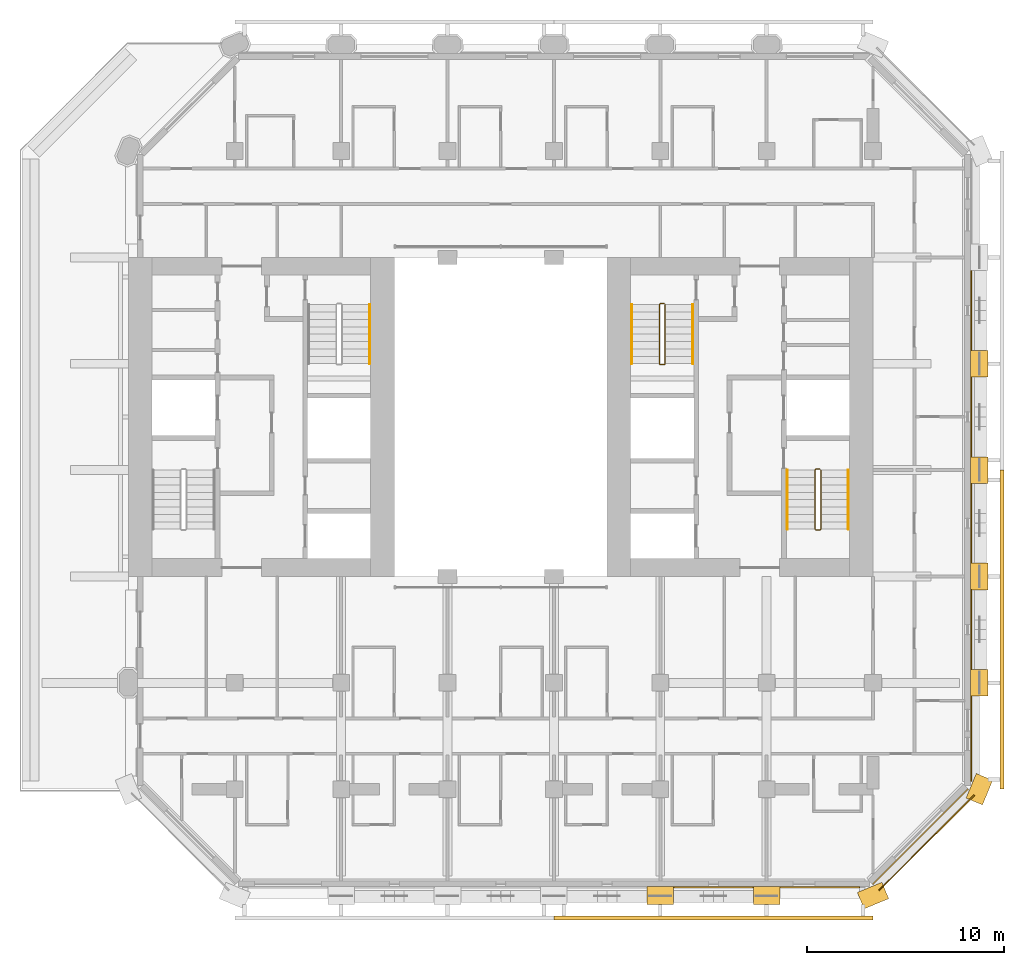
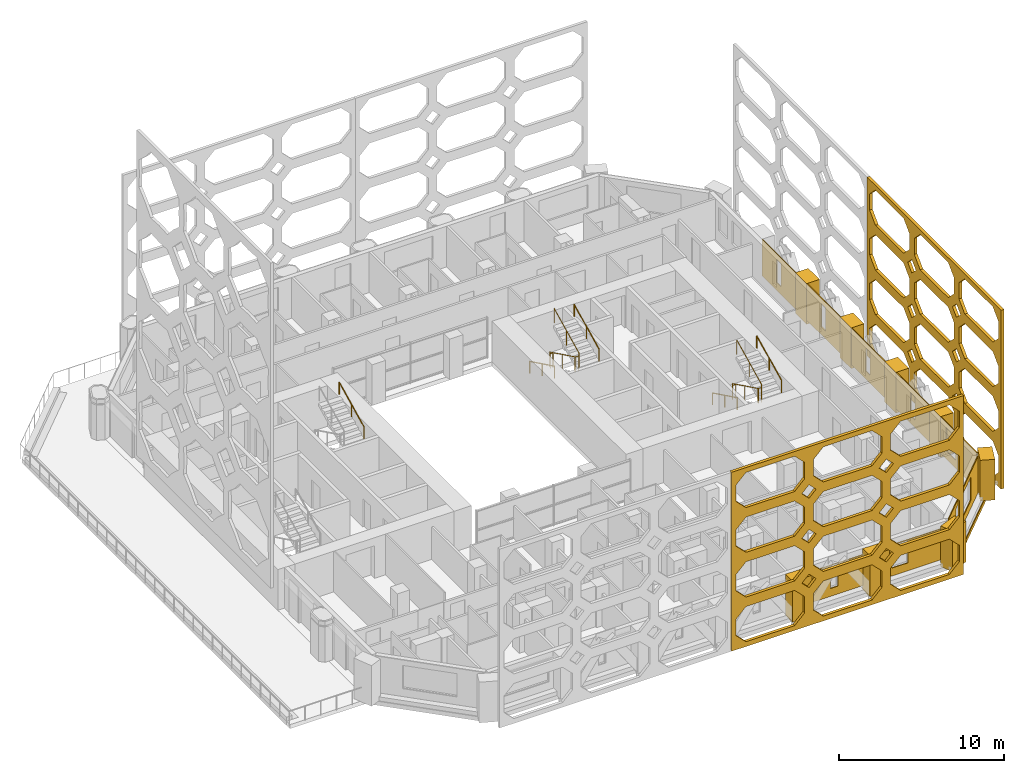
# One storey, part 14 of 16: 19 coverings, 7 railings.
"""IFC4 building model written with IfcOpenShell, lengths in metres."""

import ifcopenshell
import ifcopenshell.guid

model = None  # the IFC model being written
_history = None  # IfcOwnerHistory: only IFC2X3 demands one
_inside = {}  # id of a spatial element -> (the spatial element, [elements in it])
_under = {}  # id of a project, library or spatial element -> (it, [spatial elements below it])
_declared = {}  # id of a project -> (the project, [libraries it declares])
_typed = {}  # id of a type object -> (the type object, [elements of that type])
_made_of = {}  # id of a material, layer set ... -> (it, [elements and type objects made of it])


def new_model(schema):
    """Start an empty IFC model of exactly this schema.

    Asked for "IFC4X3", IfcOpenShell would pick the latest addendum, in which some entities
    have other attributes; the version numbers below select the first issue.
    IFC2X3 requires an IfcOwnerHistory on every rooted entity: one is made here for all.
    """
    global model, _history
    if schema == "IFC4X3":
        model = ifcopenshell.file(schema_version=(4, 3, 0, 0))
    else:
        model = ifcopenshell.file(schema=schema)
    _inside.clear()
    _under.clear()
    _declared.clear()
    _typed.clear()
    _made_of.clear()
    _history = None
    if model.schema == "IFC2X3":
        org = make("IfcOrganization", Name="unknown")
        user = make(
            "IfcPersonAndOrganization",
            ThePerson=make("IfcPerson", FamilyName="unknown"),
            TheOrganization=org,
        )
        app = make(
            "IfcApplication",
            ApplicationDeveloper=org,
            Version="unknown",
            ApplicationFullName="unknown",
            ApplicationIdentifier="unknown",
        )
        _history = make(
            "IfcOwnerHistory",
            OwningUser=user,
            OwningApplication=app,
            ChangeAction="ADDED",
            CreationDate=0,
        )
    return model


def make(cls, **values):
    """One entity of the class cls with the attributes given. An attribute that is None is left unset."""
    return model.create_entity(
        cls, **{name: value for name, value in values.items() if value is not None}
    )


def rooted(cls, **values):
    """An entity with a GlobalId (a new one), such as an element, a storey or a relation."""
    return make(cls, GlobalId=ifcopenshell.guid.new(), OwnerHistory=_history, **values)


def si_unit(unit_type, name, prefix=None):
    """IfcSIUnit, for example si_unit("LENGTHUNIT", "METRE", prefix="MILLI")."""
    return make("IfcSIUnit", UnitType=unit_type, Prefix=prefix, Name=name)


def assignment(units):
    """IfcUnitAssignment: the units of a project."""
    return None if units is None else make("IfcUnitAssignment", Units=units)


def point(xyz):
    """IfcCartesianPoint."""
    return None if xyz is None else make("IfcCartesianPoint", Coordinates=xyz)


def direction(xyz):
    """IfcDirection."""
    return None if xyz is None else make("IfcDirection", DirectionRatios=xyz)


def frame(location, z_axis=None, x_axis=None):
    """IfcAxis2Placement3D, a coordinate frame: its origin and axes. An axis left out is left unset."""
    return make(
        "IfcAxis2Placement3D",
        Location=point(location),
        Axis=direction(z_axis),
        RefDirection=direction(x_axis),
    )


def frame_2d(location, x_axis=None):
    """IfcAxis2Placement2D, a coordinate frame in the plane: its origin and x axis."""
    return make(
        "IfcAxis2Placement2D", Location=point(location), RefDirection=direction(x_axis)
    )


def origin():
    """The frame at (0, 0, 0) with its axes left unset."""
    return frame((0.0, 0.0, 0.0))


def origin_2d():
    """The frame at (0, 0) in the plane with its x axis left unset."""
    return frame_2d((0.0, 0.0))


def place(relative_to, where):
    """IfcLocalPlacement: puts the frame where relative to a parent placement (None: the world)."""
    return make(
        "IfcLocalPlacement", PlacementRelTo=relative_to, RelativePlacement=where
    )


def context(
    kind, dimensions, precision=None, world=None, true_north=None, identifier=None
):
    """IfcGeometricRepresentationContext, for example the 3D "Model" context."""
    return make(
        "IfcGeometricRepresentationContext",
        ContextIdentifier=identifier,
        ContextType=kind,
        CoordinateSpaceDimension=dimensions,
        Precision=precision,
        WorldCoordinateSystem=world,
        TrueNorth=true_north,
    )


def subcontext(parent, identifier, kind, view, scale=None):
    """IfcGeometricRepresentationSubContext, for example "Body" below "Model"."""
    return make(
        "IfcGeometricRepresentationSubContext",
        ContextIdentifier=identifier,
        ContextType=kind,
        ParentContext=parent,
        TargetScale=scale,
        TargetView=view,
    )


def project(units=None, contexts=None):
    """IfcProject with its units and contexts."""
    return rooted(
        "IfcProject",
        Name="project",
        RepresentationContexts=contexts,
        UnitsInContext=assignment(units),
    )


def spatial(cls, under=None, at=None, **own):
    """A site, building, storey or space (cls), placed at a placement, below another one or the project."""
    s = rooted(cls, ObjectPlacement=at, **own)
    if under is not None:
        _under.setdefault(under.id(), (under, []))[1].append(s)
    return s


def polyline(points):
    """IfcPolyline through the points."""
    return make("IfcPolyline", Points=[point(p) for p in points])


def profile(cls, at=None, kind="AREA", **sizes):
    """A parametric profile (cls). Its sizes go by their IFC names, for example OverallWidth=200.0."""
    return make(cls, ProfileType=kind, Position=at, **sizes)


def rectangle(**sizes):
    """IfcRectangleProfileDef."""
    return profile("IfcRectangleProfileDef", **sizes)


def circle(**sizes):
    """IfcCircleProfileDef."""
    return profile("IfcCircleProfileDef", **sizes)


def outline(outer, holes=None, kind="AREA"):
    """IfcArbitraryClosedProfileDef: a profile drawn as a closed curve; with holes, ...WithVoids."""
    if holes is None:
        return make("IfcArbitraryClosedProfileDef", ProfileType=kind, OuterCurve=outer)
    return make(
        "IfcArbitraryProfileDefWithVoids",
        ProfileType=kind,
        OuterCurve=outer,
        InnerCurves=holes,
    )


def extrude(swept, where, along, depth):
    """IfcExtrudedAreaSolid: the profile swept, set in the frame where, extruded along a direction by depth."""
    return make(
        "IfcExtrudedAreaSolid",
        SweptArea=swept,
        Position=where,
        ExtrudedDirection=direction(along),
        Depth=depth,
    )


def shape(context_of_items, identifier, shape_type, items):
    """IfcShapeRepresentation: the items that make up one representation, for example the "Body"."""
    return make(
        "IfcShapeRepresentation",
        ContextOfItems=context_of_items,
        RepresentationIdentifier=identifier,
        RepresentationType=shape_type,
        Items=items,
    )


def material(Name=None, Category=None):
    """IfcMaterial."""
    return make("IfcMaterial", Name=Name, Category=Category)


def layer(
    of_material, thickness, ventilated=None, Name=None, Category=None, Priority=None
):
    """IfcMaterialLayer: one layer of a wall or slab, of a material (None: an air gap)."""
    return make(
        "IfcMaterialLayer",
        Material=of_material,
        LayerThickness=thickness,
        IsVentilated=ventilated,
        Name=Name,
        Category=Category,
        Priority=Priority,
    )


def layer_set(layers, Name=None):
    """IfcMaterialLayerSet."""
    return make("IfcMaterialLayerSet", MaterialLayers=layers, LayerSetName=Name)


def made_of(thing, what):
    """Note that an element or type object is made of a material, layer set ...; save() writes the relation."""
    if what is not None:
        _made_of.setdefault(what.id(), (what, []))[1].append(thing)
    return thing


def type_object(cls, material=None, **own):
    """A type object (cls), such as IfcWallType, which elements share."""
    return made_of(rooted(cls, **own), material)


def element(
    cls,
    number,
    at=None,
    inside=None,
    cuts=None,
    type_object=None,
    material=None,
    context=None,
    identifier="Body",
    shape_type=None,
    held_by="IfcProductDefinitionShape",
    body=None,
    shapes=None,
    **own,
):
    """One element of the class cls, such as IfcWall. Its Tag is "e" and its number.

    at: its placement. inside: the storey or other place that contains it. cuts: it is an
    opening in that element (IfcRelVoidsElement). A single representation is given by context,
    identifier, shape_type and body (its items); several are given by shapes. held_by: the class
    of the entity that holds the representations. save() writes the other relations.
    """
    e = rooted(cls, Tag="e%d" % number, ObjectPlacement=at, **own)
    if body is not None:
        shapes = [shape(context, identifier, shape_type, body)]
    if shapes is not None:
        e.Representation = make(held_by, Representations=shapes)
    if inside is not None:
        _inside.setdefault(inside.id(), (inside, []))[1].append(e)
    if cuts is not None:
        rooted(
            "IfcRelVoidsElement", RelatingBuildingElement=cuts, RelatedOpeningElement=e
        )
    if type_object is not None:
        _typed.setdefault(type_object.id(), (type_object, []))[1].append(e)
    return made_of(e, material)


def aggregate(whole, parts):
    """IfcRelAggregates: a whole, such as a stair, and the parts it consists of."""
    return rooted("IfcRelAggregates", RelatingObject=whole, RelatedObjects=parts)


def save(model, path):
    """Write the relations noted so far, then the file.

    IfcRelAggregates (storeys below a building ...), IfcRelContainedInSpatialStructure (elements
    in a storey), IfcRelDefinesByType, IfcRelAssociatesMaterial and IfcRelDeclares: one each for
    every whole, place, type object, material and project.
    """
    for whole, parts in _under.values():
        aggregate(whole, parts)
    for where, things in _inside.values():
        rooted(
            "IfcRelContainedInSpatialStructure",
            RelatedElements=things,
            RelatingStructure=where,
        )
    for kind, things in _typed.values():
        rooted("IfcRelDefinesByType", RelatedObjects=things, RelatingType=kind)
    for what, things in _made_of.values():
        rooted("IfcRelAssociatesMaterial", RelatedObjects=things, RelatingMaterial=what)
    for by, libraries in _declared.values():
        rooted("IfcRelDeclares", RelatingContext=by, RelatedDefinitions=libraries)
    model.write(path)


model = new_model("IFC4")

# Units and contexts
model_context = context("Model", 3, precision=1e-05, world=origin(), true_north=direction((0.0, 1.0)))
body_context = subcontext(model_context, "Body", "Model", "MODEL_VIEW")
ifc_project = project(units=[si_unit("LENGTHUNIT", "METRE"), si_unit("AREAUNIT", "SQUARE_METRE"), si_unit("VOLUMEUNIT", "CUBIC_METRE"), si_unit("PLANEANGLEUNIT", "RADIAN"), si_unit("MASSUNIT", "GRAM", prefix="KILO")], contexts=[model_context])

# Site, building, storey
site_placement = place(None, origin())
site = spatial("IfcSite", under=ifc_project, at=site_placement, CompositionType="ELEMENT")
building_placement = place(site_placement, origin())
building = spatial("IfcBuilding", under=site, at=building_placement, Name="Tabaq Tower and Sports Hall", CompositionType="ELEMENT")
storey_placement = place(building_placement, frame((0.0, 0.0, 152.800048828125)))
storey = spatial("IfcBuildingStorey", under=building, at=storey_placement, Name="L35", CompositionType="ELEMENT", Elevation=152.800048828125)

# Coverings
ifc_material_1 = material(Name="Precast concrete C60/75", Category="concrete")
ifc_layer_1 = layer(ifc_material_1, 0.06005859375)
ifc_layer_set_1 = layer_set([ifc_layer_1], Name="Edge beam cladding 60")
covering_type_1 = type_object("IfcCoveringType", Name="Edge beam cladding 60", PredefinedType="CLADDING", material=ifc_layer_set_1)
covering_1_placement = place(storey_placement, frame((43.505615234375, 0.26318359375, -0.300048828125), z_axis=(0.0, 0.0, 1.0), x_axis=(0.707106781187, 0.707106781187, 0.0)))
element("IfcCovering", 1, at=covering_1_placement, inside=storey, type_object=covering_type_1, Name="Edge beam cladding L35 3", PredefinedType="CLADDING", context=body_context, shape_type="SweptSolid", body=[
    extrude(rectangle(XDim=6.83251953125, YDim=0.06005859375, at=frame_2d((3.416259765625, 0.0))), origin(), (0.0, 0.0, 1.0), 0.300048828125),
])
ifc_material_2 = material(Name="White precast concrete C60/75", Category="concrete")
covering_type_2 = type_object("IfcCoveringType", Name="Pier cladding hung 1350x900", PredefinedType="CLADDING", material=ifc_material_2)
covering_2_placement = place(storey_placement, frame((31.72509765625, 0.0, 0.0), z_axis=(0.0, 0.0, 1.0), x_axis=(1.0, 0.0, 0.0)))
element("IfcCovering", 2, at=covering_2_placement, inside=storey, type_object=covering_type_2, Name="Hung pier cladding 6/0", PredefinedType="CLADDING", context=body_context, shape_type="SweptSolid", body=[
    extrude(rectangle(XDim=1.349853515625, YDim=0.89990234375, at=frame_2d((0.6748046875, 0.0))), origin(), (0.0, 0.0, 1.0), 3.0),
])
for number, where, z_axis, x_axis, name in (
    (3, (37.125, 0.0, 0.0), (0.0, 0.0, 1.0), (1.0, 0.0, 0.0), "Hung pier cladding 7/0"),
    (4, (42.576416015625, -0.25830078125, 0.0), (0.0, 0.0, 1.0), (0.923893411637, 0.382649923473, 0.0), "Hung pier cladding 8/0"),
    (5, (48.341796875, 4.7763671875, 0.0), (0.0, 0.0, 1.0), (0.382649923473, 0.923893411637, 0.0), "Hung pier cladding 9/1"),
    (6, (48.60009765625, 10.125, 0.0), (0.0, 0.0, 1.0), (0.0, 1.0, 0.0), "Hung pier cladding 9/2"),
    (7, (48.60009765625, 15.52490234375, 0.0), (0.0, 0.0, 1.0), (0.0, 1.0, 0.0), "Hung pier cladding 9/3"),
):
    element("IfcCovering", number, at=place(storey_placement, frame(where, z_axis=z_axis, x_axis=x_axis)), inside=storey, type_object=covering_type_2, Name=name, PredefinedType="CLADDING", context=body_context, shape_type="SweptSolid", body=[
        extrude(rectangle(XDim=1.35009765625, YDim=0.89990234375, at=frame_2d((0.675048828125, 0.0))), origin(), (0.0, 0.0, 1.0), 3.0),
    ])
covering_3_placement = place(storey_placement, frame((48.60009765625, 20.925048828125, 0.0), z_axis=(0.0, 0.0, 1.0), x_axis=(0.0, 1.0, 0.0)))
element("IfcCovering", 8, at=covering_3_placement, inside=storey, type_object=covering_type_2, Name="Hung pier cladding 9/4", PredefinedType="CLADDING", context=body_context, shape_type="SweptSolid", body=[
    extrude(rectangle(XDim=1.349853515625, YDim=0.89990234375, at=frame_2d((0.6748046875, 0.0))), origin(), (0.0, 0.0, 1.0), 3.0),
])
covering_4_placement = place(storey_placement, frame((48.60009765625, 26.324951171875, 0.0), z_axis=(0.0, 0.0, 1.0), x_axis=(0.0, 1.0, 0.0)))
element("IfcCovering", 9, at=covering_4_placement, inside=storey, type_object=covering_type_2, Name="Hung pier cladding 9/5", PredefinedType="CLADDING", context=body_context, shape_type="SweptSolid", body=[
    extrude(rectangle(XDim=1.35009765625, YDim=0.89990234375, at=frame_2d((0.675048828125, 0.0))), origin(), (0.0, 0.0, 1.0), 3.0),
])

# Railings
ifc_material_3 = material(Name="Stainless steel", Category="steel")
railing_type_1 = type_object("IfcRailingType", Name="Stair guard", PredefinedType="GUARDRAIL", material=ifc_material_3)
railing_1_placement = place(storey_placement, frame((40.5, 21.64990234375, 0.0)))
element("IfcRailing", 10, at=railing_1_placement, inside=storey, type_object=railing_type_1, Name="L35 ST3 stair guard 1", PredefinedType="GUARDRAIL", context=body_context, shape_type="SweptSolid", body=[
    extrude(circle(Radius=0.02392578125, at=origin_2d()), frame((0.0, 0.0, 1.076171875), z_axis=(-1.0, 0.0, 0.0), x_axis=(0.0, -1.0, 0.0)), (0.0, 0.0, 1.0), 0.199951171875),
    extrude(circle(Radius=0.02392578125, at=origin_2d()), frame((-0.199951171875, 0.0, 1.076171875), z_axis=(-0.254733673405, -0.25349107012, 0.933195066962), x_axis=(0.705375805398, -0.708833529934, 0.0)), (0.0, 0.0, 1.0), 0.196533203125),
    extrude(circle(Radius=0.02392578125, at=origin_2d()), frame((-0.25, -0.0498046875, 1.25927734375), z_axis=(0.0, -0.898397823093, 0.439182594671), x_axis=(1.0, 0.0, 0.0)), (0.0, 0.0, 1.0), 3.33935546875),
    extrude(circle(Radius=0.02392578125, at=origin_2d()), frame((-0.25, -3.0498046875, 2.72607421875), z_axis=(0.707106781187, -0.707106781187, 0.0), x_axis=(0.707106781187, 0.707106781187, 0.0)), (0.0, 0.0, 1.0), 0.07080078125),
    extrude(circle(Radius=0.02392578125, at=origin_2d()), frame((-0.199951171875, -3.099853515625, 2.72607421875), z_axis=(1.0, 0.0, 0.0), x_axis=(0.0, 1.0, 0.0)), (0.0, 0.0, 1.0), 0.199951171875),
    extrude(circle(Radius=0.02392578125, at=origin_2d()), frame((0.0, -3.099853515625, 2.72607421875), z_axis=(0.254653276557, 0.254653276557, 0.932900539971), x_axis=(-0.707106781187, 0.707106781187, 0.0)), (0.0, 0.0, 1.0), 0.196533203125),
    extrude(circle(Radius=0.02392578125, at=origin_2d()), frame((0.050048828125, -3.0498046875, 2.9091796875), z_axis=(0.0, 0.898368975038, 0.439241601728), x_axis=(-1.0, 0.0, 0.0)), (0.0, 0.0, 1.0), 3.33935546875),
    extrude(circle(Radius=0.02099609375, at=origin_2d()), origin(), (0.0, 0.0, 1.0), 1.052001953125),
    extrude(circle(Radius=0.02099609375, at=origin_2d()), frame((-0.199951171875, 0.0, 0.0)), (0.0, 0.0, 1.0), 1.052001953125),
    extrude(circle(Radius=0.02099609375, at=origin_2d()), frame((-0.25, -0.0498046875, 0.183349609375)), (0.0, 0.0, 1.0), 1.052001953125),
    extrude(circle(Radius=0.02099609375, at=origin_2d()), frame((-0.25, -1.5498046875, 0.91650390625)), (0.0, 0.0, 1.0), 1.052001953125),
    extrude(circle(Radius=0.02099609375, at=origin_2d()), frame((-0.25, -3.0498046875, 1.64990234375)), (0.0, 0.0, 1.0), 1.052001953125),
    extrude(circle(Radius=0.02099609375, at=origin_2d()), frame((-0.199951171875, -3.099853515625, 1.64990234375)), (0.0, 0.0, 1.0), 1.052001953125),
    extrude(circle(Radius=0.02099609375, at=origin_2d()), frame((0.0, -3.099853515625, 1.64990234375)), (0.0, 0.0, 1.0), 1.052001953125),
    extrude(circle(Radius=0.02099609375, at=origin_2d()), frame((0.050048828125, -3.0498046875, 1.833251953125)), (0.0, 0.0, 1.0), 1.052001953125),
    extrude(circle(Radius=0.02099609375, at=origin_2d()), frame((0.050048828125, -1.5498046875, 2.566650390625)), (0.0, 0.0, 1.0), 1.052001953125),
    extrude(circle(Radius=0.02099609375, at=origin_2d()), frame((0.050048828125, -0.0498046875, 3.300048828125)), (0.0, 0.0, 1.0), 1.052001953125),
])
railing_2_placement = place(storey_placement, frame((32.60009765625, 30.050048828125, 0.0)))
element("IfcRailing", 11, at=railing_2_placement, inside=storey, type_object=railing_type_1, Name="L35 ST4 stair guard 1", PredefinedType="GUARDRAIL", context=body_context, shape_type="SweptSolid", body=[
    extrude(circle(Radius=0.02392578125, at=origin_2d()), frame((0.0, 0.0, 1.076171875), z_axis=(-1.0, 0.0, 0.0), x_axis=(0.0, -1.0, 0.0)), (0.0, 0.0, 1.0), 0.2001953125),
    extrude(circle(Radius=0.02392578125, at=origin_2d()), frame((-0.2001953125, 0.0, 1.076171875), z_axis=(-0.25349107012, -0.254733673405, 0.933195066962), x_axis=(0.708833529934, -0.705375805398, 0.0)), (0.0, 0.0, 1.0), 0.196533203125),
    extrude(circle(Radius=0.02392578125, at=origin_2d()), frame((-0.25, -0.050048828125, 1.25927734375), z_axis=(0.0, -0.898397823093, 0.439182594671), x_axis=(1.0, 0.0, 0.0)), (0.0, 0.0, 1.0), 3.33935546875),
    extrude(circle(Radius=0.02392578125, at=origin_2d()), frame((-0.25, -3.050048828125, 2.72607421875), z_axis=(0.705375805398, -0.708833529934, 0.0), x_axis=(0.708833529934, 0.705375805398, 0.0)), (0.0, 0.0, 1.0), 0.070556640625),
    extrude(circle(Radius=0.02392578125, at=origin_2d()), frame((-0.2001953125, -3.10009765625, 2.72607421875), z_axis=(1.0, 0.0, 0.0), x_axis=(0.0, 1.0, 0.0)), (0.0, 0.0, 1.0), 0.2001953125),
    extrude(circle(Radius=0.02392578125, at=origin_2d()), frame((0.0, -3.10009765625, 2.72607421875), z_axis=(0.25349107012, 0.254733673405, 0.933195066962), x_axis=(-0.708833529934, 0.705375805398, 0.0)), (0.0, 0.0, 1.0), 0.196533203125),
    extrude(circle(Radius=0.02392578125, at=origin_2d()), frame((0.0498046875, -3.050048828125, 2.9091796875), z_axis=(0.0, 0.898368975038, 0.439241601728), x_axis=(-1.0, 0.0, 0.0)), (0.0, 0.0, 1.0), 3.33935546875),
    extrude(circle(Radius=0.02099609375, at=origin_2d()), origin(), (0.0, 0.0, 1.0), 1.052001953125),
    extrude(circle(Radius=0.02099609375, at=origin_2d()), frame((-0.2001953125, 0.0, 0.0)), (0.0, 0.0, 1.0), 1.052001953125),
    extrude(circle(Radius=0.02099609375, at=origin_2d()), frame((-0.25, -0.050048828125, 0.183349609375)), (0.0, 0.0, 1.0), 1.052001953125),
    extrude(circle(Radius=0.02099609375, at=origin_2d()), frame((-0.25, -1.550048828125, 0.91650390625)), (0.0, 0.0, 1.0), 1.052001953125),
    extrude(circle(Radius=0.02099609375, at=origin_2d()), frame((-0.25, -3.050048828125, 1.64990234375)), (0.0, 0.0, 1.0), 1.052001953125),
    extrude(circle(Radius=0.02099609375, at=origin_2d()), frame((-0.2001953125, -3.10009765625, 1.64990234375)), (0.0, 0.0, 1.0), 1.052001953125),
    extrude(circle(Radius=0.02099609375, at=origin_2d()), frame((0.0, -3.10009765625, 1.64990234375)), (0.0, 0.0, 1.0), 1.052001953125),
    extrude(circle(Radius=0.02099609375, at=origin_2d()), frame((0.0498046875, -3.050048828125, 1.833251953125)), (0.0, 0.0, 1.0), 1.052001953125),
    extrude(circle(Radius=0.02099609375, at=origin_2d()), frame((0.0498046875, -1.550048828125, 2.566650390625)), (0.0, 0.0, 1.0), 1.052001953125),
    extrude(circle(Radius=0.02099609375, at=origin_2d()), frame((0.0498046875, -0.050048828125, 3.300048828125)), (0.0, 0.0, 1.0), 1.052001953125),
])
ifc_material_4 = material(Name="Stainless steel", Category="steel")
railing_type_2 = type_object("IfcRailingType", Name="Stair handrail", PredefinedType="HANDRAIL", material=ifc_material_4)
railing_3_placement = place(storey_placement, frame((17.64990234375, 27.0, 1.833251953125)))
element("IfcRailing", 12, at=railing_3_placement, inside=storey, type_object=railing_type_2, Name="L35 ST2 stair handrail 2", PredefinedType="HANDRAIL", context=body_context, shape_type="SweptSolid", body=[
    extrude(circle(Radius=0.02392578125, at=origin_2d()), frame((0.0, 0.0, 0.8759765625), z_axis=(0.0, 0.898368975038, 0.439241601728), x_axis=(-1.0, 0.0, 0.0)), (0.0, 0.0, 1.0), 3.33935546875),
    extrude(circle(Radius=0.02099609375, at=origin_2d()), origin(), (0.0, 0.0, 1.0), 0.851806640625),
    extrude(circle(Radius=0.02099609375, at=origin_2d()), frame((0.0, 1.5, 0.7333984375)), (0.0, 0.0, 1.0), 0.851806640625),
    extrude(circle(Radius=0.02099609375, at=origin_2d()), frame((0.0, 3.0, 1.466796875)), (0.0, 0.0, 1.0), 0.851806640625),
])
railing_4_placement = place(storey_placement, frame((38.85009765625, 21.60009765625, 0.183349609375)))
element("IfcRailing", 13, at=railing_4_placement, inside=storey, type_object=railing_type_2, Name="L35 ST3 stair handrail 1", PredefinedType="HANDRAIL", context=body_context, shape_type="SweptSolid", body=[
    extrude(circle(Radius=0.02392578125, at=origin_2d()), frame((0.0, 0.0, 0.8759765625), z_axis=(0.0, -0.898397823093, 0.439182594671), x_axis=(1.0, 0.0, 0.0)), (0.0, 0.0, 1.0), 3.33935546875),
    extrude(circle(Radius=0.02099609375, at=origin_2d()), origin(), (0.0, 0.0, 1.0), 0.851806640625),
    extrude(circle(Radius=0.02099609375, at=origin_2d()), frame((0.0, -1.5, 0.7333984375)), (0.0, 0.0, 1.0), 0.851806640625),
    extrude(circle(Radius=0.02099609375, at=origin_2d()), frame((0.0, -3.0, 1.466552734375)), (0.0, 0.0, 1.0), 0.851806640625),
])
railing_5_placement = place(storey_placement, frame((41.949951171875, 18.60009765625, 1.833251953125)))
element("IfcRailing", 14, at=railing_5_placement, inside=storey, type_object=railing_type_2, Name="L35 ST3 stair handrail 2", PredefinedType="HANDRAIL", context=body_context, shape_type="SweptSolid", body=[
    extrude(circle(Radius=0.02392578125, at=origin_2d()), frame((0.0, 0.0, 0.8759765625), z_axis=(0.0, 0.898368975038, 0.439241601728), x_axis=(-1.0, 0.0, 0.0)), (0.0, 0.0, 1.0), 3.33935546875),
    extrude(circle(Radius=0.02099609375, at=origin_2d()), origin(), (0.0, 0.0, 1.0), 0.851806640625),
    extrude(circle(Radius=0.02099609375, at=origin_2d()), frame((0.0, 1.5, 0.7333984375)), (0.0, 0.0, 1.0), 0.851806640625),
    extrude(circle(Radius=0.02099609375, at=origin_2d()), frame((0.0, 3.0, 1.466796875)), (0.0, 0.0, 1.0), 0.851806640625),
])
railing_6_placement = place(storey_placement, frame((30.949951171875, 30.0, 0.183349609375)))
element("IfcRailing", 15, at=railing_6_placement, inside=storey, type_object=railing_type_2, Name="L35 ST4 stair handrail 1", PredefinedType="HANDRAIL", context=body_context, shape_type="SweptSolid", body=[
    extrude(circle(Radius=0.02392578125, at=origin_2d()), frame((0.0, 0.0, 0.8759765625), z_axis=(0.0, -0.898397823093, 0.439182594671), x_axis=(1.0, 0.0, 0.0)), (0.0, 0.0, 1.0), 3.33935546875),
    extrude(circle(Radius=0.02099609375, at=origin_2d()), origin(), (0.0, 0.0, 1.0), 0.851806640625),
    extrude(circle(Radius=0.02099609375, at=origin_2d()), frame((0.0, -1.5, 0.7333984375)), (0.0, 0.0, 1.0), 0.851806640625),
    extrude(circle(Radius=0.02099609375, at=origin_2d()), frame((0.0, -3.0, 1.466552734375)), (0.0, 0.0, 1.0), 0.851806640625),
])
railing_7_placement = place(storey_placement, frame((34.050048828125, 27.0, 1.833251953125)))
element("IfcRailing", 16, at=railing_7_placement, inside=storey, type_object=railing_type_2, Name="L35 ST4 stair handrail 2", PredefinedType="HANDRAIL", context=body_context, shape_type="SweptSolid", body=[
    extrude(circle(Radius=0.02392578125, at=origin_2d()), frame((0.0, 0.0, 0.8759765625), z_axis=(0.0, 0.898368975038, 0.439241601728), x_axis=(-1.0, 0.0, 0.0)), (0.0, 0.0, 1.0), 3.33935546875),
    extrude(circle(Radius=0.02099609375, at=origin_2d()), origin(), (0.0, 0.0, 1.0), 0.851806640625),
    extrude(circle(Radius=0.02099609375, at=origin_2d()), frame((0.0, 1.5, 0.7333984375)), (0.0, 0.0, 1.0), 0.851806640625),
    extrude(circle(Radius=0.02099609375, at=origin_2d()), frame((0.0, 3.0, 1.466796875)), (0.0, 0.0, 1.0), 0.851806640625),
])

# Coverings
ifc_material_5 = material(Name="White precast concrete C60/75 pierced screen", Category="concrete")
ifc_layer_2 = layer(ifc_material_5, 0.199951171875)
ifc_layer_set_2 = layer_set([ifc_layer_2], Name="TRACERY SCREEN 200 C60/75")
covering_type_3 = type_object("IfcCoveringType", Name="TRACERY SCREEN 200 C60/75", PredefinedType="CLADDING", material=ifc_layer_set_2)
covering_5_placement = place(storey_placement, frame((27.0, -1.14990234375, 0.0), z_axis=(0.0, 0.0, 1.0), x_axis=(1.0, 0.0, 0.0)))
element("IfcCovering", 17, at=covering_5_placement, inside=storey, type_object=covering_type_3, Name="Tracery screen H1 S L35-L38", PredefinedType="CLADDING", context=body_context, shape_type="SweptSolid", body=[
    extrude(outline(polyline([(0.0, 0.0), (16.199951171875, 0.0), (16.199951171875, 13.199951171875), (0.0, 13.199951171875), (0.0, 0.0)]), holes=[polyline([(1.0, 0.349853515625), (4.39990234375, 0.349853515625), (5.10009765625, 1.050048828125), (5.10009765625, 2.25), (4.39990234375, 2.949951171875), (1.0, 2.949951171875), (0.300048828125, 2.25), (0.300048828125, 1.050048828125), (1.0, 0.349853515625)]), polyline([(6.39990234375, 0.349853515625), (9.800048828125, 0.349853515625), (10.5, 1.050048828125), (10.5, 2.25), (9.800048828125, 2.949951171875), (6.39990234375, 2.949951171875), (5.699951171875, 2.25), (5.699951171875, 1.050048828125), (6.39990234375, 0.349853515625)]), polyline([(11.800048828125, 0.349853515625), (15.199951171875, 0.349853515625), (15.89990234375, 1.050048828125), (15.89990234375, 2.25), (15.199951171875, 2.949951171875), (11.800048828125, 2.949951171875), (11.10009765625, 2.25), (11.10009765625, 1.050048828125), (11.800048828125, 0.349853515625)]), polyline([(1.0, 3.64990234375), (4.39990234375, 3.64990234375), (5.10009765625, 4.349853515625), (5.10009765625, 5.550048828125), (4.39990234375, 6.25), (1.0, 6.25), (0.300048828125, 5.550048828125), (0.300048828125, 4.349853515625), (1.0, 3.64990234375)]), polyline([(6.39990234375, 3.64990234375), (9.800048828125, 3.64990234375), (10.5, 4.349853515625), (10.5, 5.550048828125), (9.800048828125, 6.25), (6.39990234375, 6.25), (5.699951171875, 5.550048828125), (5.699951171875, 4.349853515625), (6.39990234375, 3.64990234375)]), polyline([(11.800048828125, 3.64990234375), (15.199951171875, 3.64990234375), (15.89990234375, 4.349853515625), (15.89990234375, 5.550048828125), (15.199951171875, 6.25), (11.800048828125, 6.25), (11.10009765625, 5.550048828125), (11.10009765625, 4.349853515625), (11.800048828125, 3.64990234375)]), polyline([(1.0, 6.949951171875), (4.39990234375, 6.949951171875), (5.10009765625, 7.64990234375), (5.10009765625, 8.849853515625), (4.39990234375, 9.550048828125), (1.0, 9.550048828125), (0.300048828125, 8.849853515625), (0.300048828125, 7.64990234375), (1.0, 6.949951171875)]), polyline([(6.39990234375, 6.949951171875), (9.800048828125, 6.949951171875), (10.5, 7.64990234375), (10.5, 8.849853515625), (9.800048828125, 9.550048828125), (6.39990234375, 9.550048828125), (5.699951171875, 8.849853515625), (5.699951171875, 7.64990234375), (6.39990234375, 6.949951171875)]), polyline([(11.800048828125, 6.949951171875), (15.199951171875, 6.949951171875), (15.89990234375, 7.64990234375), (15.89990234375, 8.849853515625), (15.199951171875, 9.550048828125), (11.800048828125, 9.550048828125), (11.10009765625, 8.849853515625), (11.10009765625, 7.64990234375), (11.800048828125, 6.949951171875)]), polyline([(1.0, 10.25), (4.39990234375, 10.25), (5.10009765625, 10.949951171875), (5.10009765625, 12.14990234375), (4.39990234375, 12.849853515625), (1.0, 12.849853515625), (0.300048828125, 12.14990234375), (0.300048828125, 10.949951171875), (1.0, 10.25)]), polyline([(6.39990234375, 10.25), (9.800048828125, 10.25), (10.5, 10.949951171875), (10.5, 12.14990234375), (9.800048828125, 12.849853515625), (6.39990234375, 12.849853515625), (5.699951171875, 12.14990234375), (5.699951171875, 10.949951171875), (6.39990234375, 10.25)]), polyline([(11.800048828125, 10.25), (15.199951171875, 10.25), (15.89990234375, 10.949951171875), (15.89990234375, 12.14990234375), (15.199951171875, 12.849853515625), (11.800048828125, 12.849853515625), (11.10009765625, 12.14990234375), (11.10009765625, 10.949951171875), (11.800048828125, 10.25)]), polyline([(5.89990234375, 3.300048828125), (5.39990234375, 3.800048828125), (4.89990234375, 3.300048828125), (5.39990234375, 2.800048828125), (5.89990234375, 3.300048828125)]), polyline([(11.300048828125, 3.300048828125), (10.800048828125, 3.800048828125), (10.300048828125, 3.300048828125), (10.800048828125, 2.800048828125), (11.300048828125, 3.300048828125)]), polyline([(5.89990234375, 6.599853515625), (5.39990234375, 7.099853515625), (4.89990234375, 6.599853515625), (5.39990234375, 6.099853515625), (5.89990234375, 6.599853515625)]), polyline([(11.300048828125, 6.599853515625), (10.800048828125, 7.099853515625), (10.300048828125, 6.599853515625), (10.800048828125, 6.099853515625), (11.300048828125, 6.599853515625)]), polyline([(5.89990234375, 9.89990234375), (5.39990234375, 10.39990234375), (4.89990234375, 9.89990234375), (5.39990234375, 9.39990234375), (5.89990234375, 9.89990234375)]), polyline([(11.300048828125, 9.89990234375), (10.800048828125, 10.39990234375), (10.300048828125, 9.89990234375), (10.800048828125, 9.39990234375), (11.300048828125, 9.89990234375)])]), frame((0.0, 0.10009765625, 0.0), z_axis=(0.0, -1.0, 0.0), x_axis=(1.0, 0.0, 0.0)), (0.0, 0.0, 1.0), 0.199951171875),
])
covering_6_placement = place(storey_placement, frame((49.75, 5.39990234375, 0.0), z_axis=(0.0, 0.0, 1.0), x_axis=(0.0, 1.0, 0.0)))
element("IfcCovering", 18, at=covering_6_placement, inside=storey, type_object=covering_type_3, Name="Tracery screen H1 E L35-L38", PredefinedType="CLADDING", context=body_context, shape_type="SweptSolid", body=[
    extrude(outline(polyline([(0.0, 0.0), (16.2001953125, 0.0), (16.2001953125, 13.199951171875), (0.0, 13.199951171875), (0.0, 0.0)]), holes=[polyline([(1.0, 0.349853515625), (4.39990234375, 0.349853515625), (5.10009765625, 1.050048828125), (5.10009765625, 2.25), (4.39990234375, 2.949951171875), (1.0, 2.949951171875), (0.300048828125, 2.25), (0.300048828125, 1.050048828125), (1.0, 0.349853515625)]), polyline([(6.39990234375, 0.349853515625), (9.800048828125, 0.349853515625), (10.5, 1.050048828125), (10.5, 2.25), (9.800048828125, 2.949951171875), (6.39990234375, 2.949951171875), (5.699951171875, 2.25), (5.699951171875, 1.050048828125), (6.39990234375, 0.349853515625)]), polyline([(11.800048828125, 0.349853515625), (15.199951171875, 0.349853515625), (15.89990234375, 1.050048828125), (15.89990234375, 2.25), (15.199951171875, 2.949951171875), (11.800048828125, 2.949951171875), (11.10009765625, 2.25), (11.10009765625, 1.050048828125), (11.800048828125, 0.349853515625)]), polyline([(1.0, 3.64990234375), (4.39990234375, 3.64990234375), (5.10009765625, 4.349853515625), (5.10009765625, 5.550048828125), (4.39990234375, 6.25), (1.0, 6.25), (0.300048828125, 5.550048828125), (0.300048828125, 4.349853515625), (1.0, 3.64990234375)]), polyline([(6.39990234375, 3.64990234375), (9.800048828125, 3.64990234375), (10.5, 4.349853515625), (10.5, 5.550048828125), (9.800048828125, 6.25), (6.39990234375, 6.25), (5.699951171875, 5.550048828125), (5.699951171875, 4.349853515625), (6.39990234375, 3.64990234375)]), polyline([(11.800048828125, 3.64990234375), (15.199951171875, 3.64990234375), (15.89990234375, 4.349853515625), (15.89990234375, 5.550048828125), (15.199951171875, 6.25), (11.800048828125, 6.25), (11.10009765625, 5.550048828125), (11.10009765625, 4.349853515625), (11.800048828125, 3.64990234375)]), polyline([(1.0, 6.949951171875), (4.39990234375, 6.949951171875), (5.10009765625, 7.64990234375), (5.10009765625, 8.849853515625), (4.39990234375, 9.550048828125), (1.0, 9.550048828125), (0.300048828125, 8.849853515625), (0.300048828125, 7.64990234375), (1.0, 6.949951171875)]), polyline([(6.39990234375, 6.949951171875), (9.800048828125, 6.949951171875), (10.5, 7.64990234375), (10.5, 8.849853515625), (9.800048828125, 9.550048828125), (6.39990234375, 9.550048828125), (5.699951171875, 8.849853515625), (5.699951171875, 7.64990234375), (6.39990234375, 6.949951171875)]), polyline([(11.800048828125, 6.949951171875), (15.199951171875, 6.949951171875), (15.89990234375, 7.64990234375), (15.89990234375, 8.849853515625), (15.199951171875, 9.550048828125), (11.800048828125, 9.550048828125), (11.10009765625, 8.849853515625), (11.10009765625, 7.64990234375), (11.800048828125, 6.949951171875)]), polyline([(1.0, 10.25), (4.39990234375, 10.25), (5.10009765625, 10.949951171875), (5.10009765625, 12.14990234375), (4.39990234375, 12.849853515625), (1.0, 12.849853515625), (0.300048828125, 12.14990234375), (0.300048828125, 10.949951171875), (1.0, 10.25)]), polyline([(6.39990234375, 10.25), (9.800048828125, 10.25), (10.5, 10.949951171875), (10.5, 12.14990234375), (9.800048828125, 12.849853515625), (6.39990234375, 12.849853515625), (5.699951171875, 12.14990234375), (5.699951171875, 10.949951171875), (6.39990234375, 10.25)]), polyline([(11.800048828125, 10.25), (15.199951171875, 10.25), (15.89990234375, 10.949951171875), (15.89990234375, 12.14990234375), (15.199951171875, 12.849853515625), (11.800048828125, 12.849853515625), (11.10009765625, 12.14990234375), (11.10009765625, 10.949951171875), (11.800048828125, 10.25)]), polyline([(5.89990234375, 3.300048828125), (5.39990234375, 3.800048828125), (4.89990234375, 3.300048828125), (5.39990234375, 2.800048828125), (5.89990234375, 3.300048828125)]), polyline([(11.300048828125, 3.300048828125), (10.800048828125, 3.800048828125), (10.300048828125, 3.300048828125), (10.800048828125, 2.800048828125), (11.300048828125, 3.300048828125)]), polyline([(5.89990234375, 6.599853515625), (5.39990234375, 7.099853515625), (4.89990234375, 6.599853515625), (5.39990234375, 6.099853515625), (5.89990234375, 6.599853515625)]), polyline([(11.300048828125, 6.599853515625), (10.800048828125, 7.099853515625), (10.300048828125, 6.599853515625), (10.800048828125, 6.099853515625), (11.300048828125, 6.599853515625)]), polyline([(5.89990234375, 9.89990234375), (5.39990234375, 10.39990234375), (4.89990234375, 9.89990234375), (5.39990234375, 9.39990234375), (5.89990234375, 9.89990234375)]), polyline([(11.300048828125, 9.89990234375), (10.800048828125, 10.39990234375), (10.300048828125, 9.89990234375), (10.800048828125, 9.39990234375), (11.300048828125, 9.89990234375)])]), frame((0.0, 0.10009765625, 0.0), z_axis=(0.0, -1.0, 0.0), x_axis=(1.0, 0.0, 0.0)), (0.0, 0.0, 1.0), 0.199951171875),
])
ifc_material_6 = material(Name="Precast concrete C60/75", Category="concrete")
ifc_layer_3 = layer(ifc_material_6, 0.06005859375)
ifc_layer_set_3 = layer_set([ifc_layer_3], Name="White precast cladding panel 60 C60/75")
covering_type_4 = type_object("IfcCoveringType", Name="White precast cladding panel 60 C60/75", PredefinedType="CLADDING", material=ifc_layer_set_3)
covering_7_placement = place(storey_placement, frame((33.0849609375, 0.419921875, 0.31005859375), z_axis=(0.0, 0.0, 1.0), x_axis=(1.0, 0.0, 0.0)))
element("IfcCovering", 19, at=covering_7_placement, inside=storey, type_object=covering_type_4, Name="White precast cladding panel L35 wall00 5", PredefinedType="CLADDING", context=body_context, shape_type="SweptSolid", body=[
    extrude(outline(polyline([(0.0, 0.0), (4.030029296875, 0.0), (4.030029296875, 2.27978515625), (0.0, 2.27978515625), (0.0, 0.0)]), holes=[polyline([(2.27490234375, 0.579833984375), (1.7548828125, 0.579833984375), (1.7548828125, 2.25), (2.27490234375, 2.25), (2.27490234375, 0.579833984375)])]), frame((0.0, 0.030029296875, 0.0), z_axis=(0.0, -1.0, 0.0), x_axis=(1.0, 0.0, 0.0)), (0.0, 0.0, 1.0), 0.06005859375),
])
covering_8_placement = place(storey_placement, frame((38.485107421875, 0.419921875, 0.31005859375), z_axis=(0.0, 0.0, 1.0), x_axis=(1.0, 0.0, 0.0)))
element("IfcCovering", 20, at=covering_8_placement, inside=storey, type_object=covering_type_4, Name="White precast cladding panel L35 wall00 6", PredefinedType="CLADDING", context=body_context, shape_type="SweptSolid", body=[
    extrude(outline(polyline([(0.0, 0.0), (4.0498046875, 0.0), (4.0498046875, 2.27978515625), (0.0, 2.27978515625), (0.0, 0.0)]), holes=[polyline([(1.77490234375, 0.579833984375), (0.655029296875, 0.579833984375), (0.655029296875, 2.25), (1.77490234375, 2.25), (1.77490234375, 0.579833984375)])]), frame((0.0, 0.030029296875, 0.0), z_axis=(0.0, -1.0, 0.0), x_axis=(1.0, 0.0, 0.0)), (0.0, 0.0, 1.0), 0.06005859375),
])
covering_9_placement = place(storey_placement, frame((43.18017578125, 0.57421875, 0.31005859375), z_axis=(0.0, 0.0, 1.0), x_axis=(0.70712459446, 0.707088967465, 0.0)))
element("IfcCovering", 21, at=covering_9_placement, inside=storey, type_object=covering_type_4, Name="White precast cladding panel L35 wall01", PredefinedType="CLADDING", context=body_context, shape_type="SweptSolid", body=[
    extrude(outline(polyline([(0.0, 0.0), (6.852783203125, 0.0), (6.852783203125, 2.68994140625), (0.0, 2.68994140625), (0.0, 0.0)]), holes=[polyline([(1.71630859375, 0.579833984375), (1.71630859375, 2.2998046875), (5.13623046875, 2.2998046875), (5.13623046875, 0.579833984375), (1.71630859375, 0.579833984375)])]), frame((0.0, 0.030029296875, 0.0), z_axis=(0.0, -1.0, 0.0), x_axis=(1.0, 0.0, 0.0)), (0.0, 0.0, 1.0), 0.06005859375),
])
covering_10_placement = place(storey_placement, frame((48.179931640625, 5.7919921875, 0.31005859375), z_axis=(0.0, 0.0, 1.0), x_axis=(0.0, 1.0, 0.0)))
element("IfcCovering", 22, at=covering_10_placement, inside=storey, type_object=covering_type_4, Name="White precast cladding panel L35 wall02", PredefinedType="CLADDING", context=body_context, shape_type="SweptSolid", body=[
    extrude(outline(polyline([(0.0, 0.0), (4.322998046875, 0.0), (4.322998046875, 2.68994140625), (0.0, 2.68994140625), (0.0, 0.0)]), holes=[polyline([(1.572998046875, 2.2998046875), (2.242919921875, 2.2998046875), (2.242919921875, 0.579833984375), (1.572998046875, 0.579833984375), (1.572998046875, 2.2998046875)]), polyline([(2.5478515625, 2.2998046875), (3.66796875, 2.2998046875), (3.66796875, 0.579833984375), (2.5478515625, 0.579833984375), (2.5478515625, 2.2998046875)])]), frame((0.0, 0.030029296875, 0.0), z_axis=(0.0, -1.0, 0.0), x_axis=(1.0, 0.0, 0.0)), (0.0, 0.0, 1.0), 0.06005859375),
])
covering_11_placement = place(storey_placement, frame((48.179931640625, 11.485107421875, 0.31005859375), z_axis=(0.0, 0.0, 1.0), x_axis=(0.0, 1.0, 0.0)))
element("IfcCovering", 23, at=covering_11_placement, inside=storey, type_object=covering_type_4, Name="White precast cladding panel L35 wall02 2", PredefinedType="CLADDING", context=body_context, shape_type="SweptSolid", body=[
    extrude(outline(polyline([(0.0, 0.0), (4.02978515625, 0.0), (4.02978515625, 2.68994140625), (0.0, 2.68994140625), (0.0, 0.0)]), holes=[polyline([(1.7548828125, 0.579833984375), (1.7548828125, 2.2998046875), (2.27490234375, 2.2998046875), (2.27490234375, 0.579833984375), (1.7548828125, 0.579833984375)])]), frame((0.0, 0.030029296875, 0.0), z_axis=(0.0, -1.0, 0.0), x_axis=(1.0, 0.0, 0.0)), (0.0, 0.0, 1.0), 0.06005859375),
])
for number, where, z_axis, x_axis, name in (
    (24, (48.179931640625, 16.885009765625, 0.31005859375), (0.0, 0.0, 1.0), (0.0, 1.0, 0.0), "White precast cladding panel L35 wall02 3"),
    (25, (48.179931640625, 22.284912109375, 0.31005859375), (0.0, 0.0, 1.0), (0.0, 1.0, 0.0), "White precast cladding panel L35 wall02 4"),
    (26, (48.179931640625, 27.68505859375, 0.31005859375), (0.0, 0.0, 1.0), (0.0, 1.0, 0.0), "White precast cladding panel L35 wall02 5"),
):
    element("IfcCovering", number, at=place(storey_placement, frame(where, z_axis=z_axis, x_axis=x_axis)), inside=storey, type_object=covering_type_4, Name=name, PredefinedType="CLADDING", context=body_context, shape_type="SweptSolid", body=[
        extrude(outline(polyline([(0.0, 0.0), (4.030029296875, 0.0), (4.030029296875, 2.68994140625), (0.0, 2.68994140625), (0.0, 0.0)]), holes=[polyline([(1.7548828125, 0.579833984375), (1.7548828125, 2.2998046875), (2.27490234375, 2.2998046875), (2.27490234375, 0.579833984375), (1.7548828125, 0.579833984375)])]), frame((0.0, 0.030029296875, 0.0), z_axis=(0.0, -1.0, 0.0), x_axis=(1.0, 0.0, 0.0)), (0.0, 0.0, 1.0), 0.06005859375),
    ])

save(model, "model.ifc")
